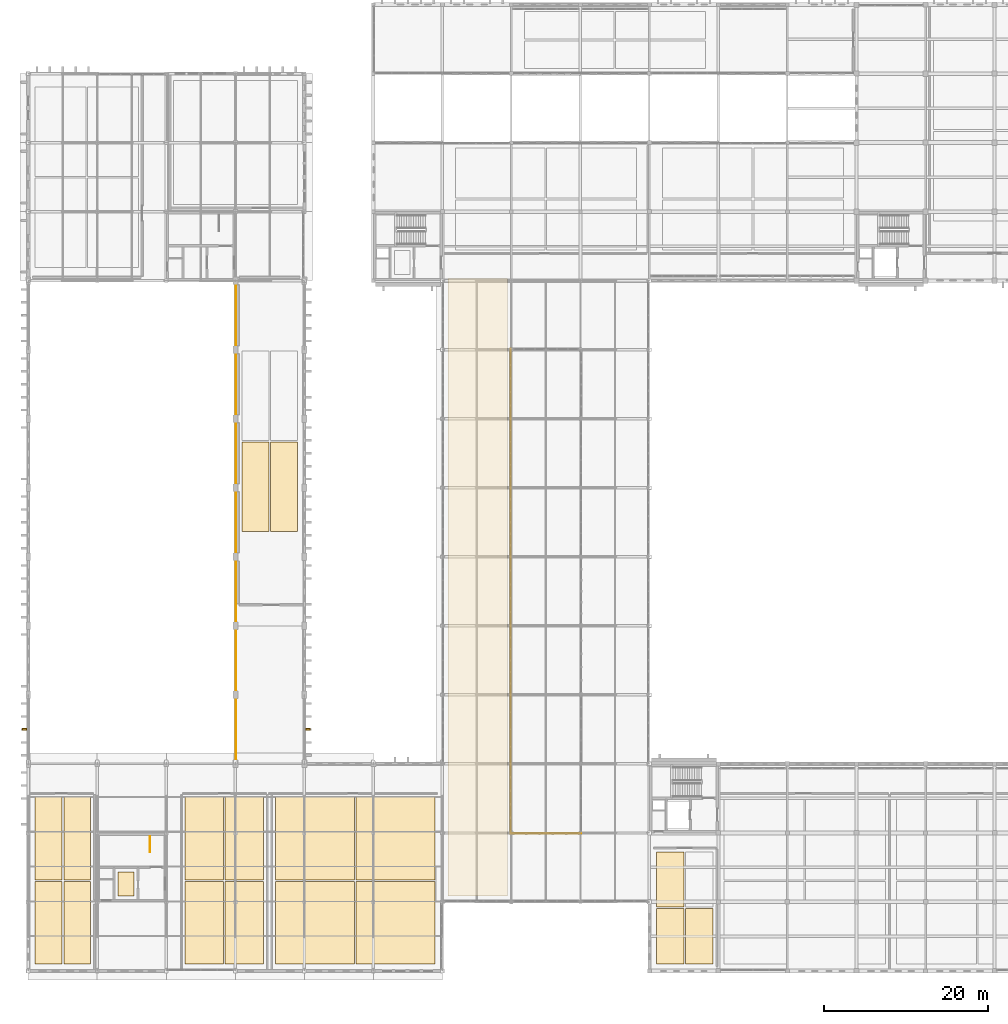
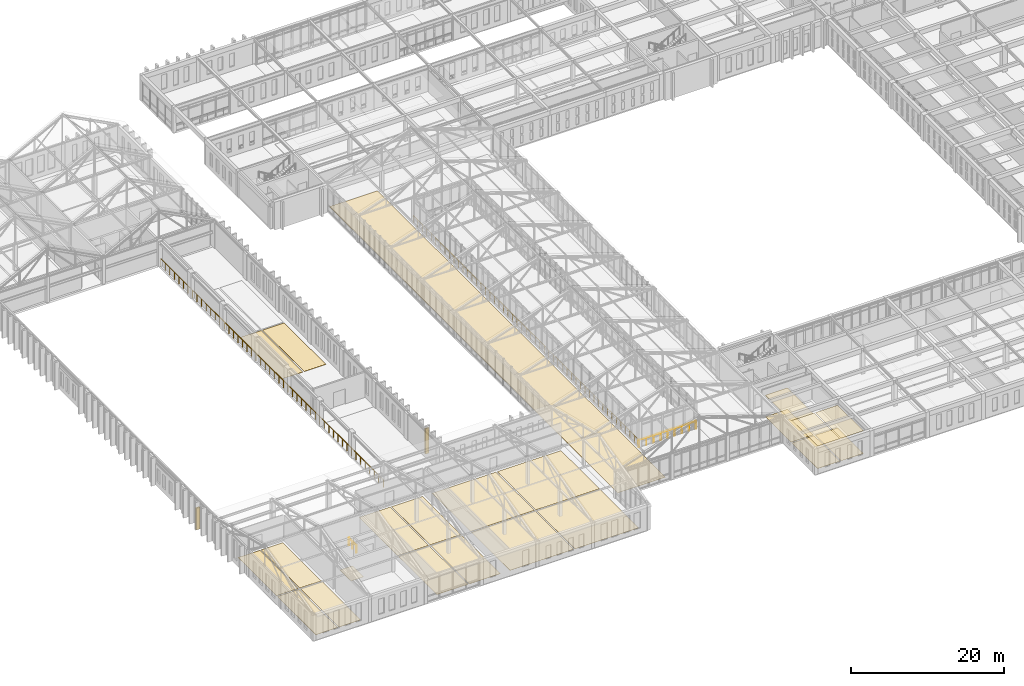
# One storey, part 182 of 192: 22 coverings, 4 railings, 2 shading devices.
"""IFC4 building model written with IfcOpenShell, lengths in metres."""

from ifc_helpers import new_model, si_unit, direction, frame, origin, origin_2d, place, context, subcontext, project, spatial, rectangle, circle, extrude, material, layer, layer_set, type_object, element, save


model = new_model("IFC4")

# Units and contexts
model_context = context("Model", 3, precision=1e-05, world=origin(), true_north=direction((0.0, 1.0)))
body_context = subcontext(model_context, "Body", "Model", "MODEL_VIEW")
ifc_project = project(units=[si_unit("LENGTHUNIT", "METRE"), si_unit("AREAUNIT", "SQUARE_METRE"), si_unit("VOLUMEUNIT", "CUBIC_METRE"), si_unit("PLANEANGLEUNIT", "RADIAN"), si_unit("MASSUNIT", "GRAM", prefix="KILO")], contexts=[model_context])

# Site, building, storey
site_placement = place(None, origin())
site = spatial("IfcSite", under=ifc_project, at=site_placement, CompositionType="ELEMENT")
building_placement = place(site_placement, origin())
building = spatial("IfcBuilding", under=site, at=building_placement, Name="Kveldsbrygga Polytechnic", CompositionType="ELEMENT")
storey_placement = place(building_placement, frame((0.0, 0.0, 5.43994140625)))
storey = spatial("IfcBuildingStorey", under=building, at=storey_placement, Name="L01", CompositionType="ELEMENT", Elevation=5.43994140625)

# Coverings
ifc_material_1 = material(Name="Acoustic mineral baffle ceiling")
ifc_layer_1 = layer(ifc_material_1, 0.030029296875)
ifc_layer_set_1 = layer_set([ifc_layer_1], Name="Acoustic mineral baffle ceiling")
covering_type_1 = type_object("IfcCoveringType", Name="COV-CEIL-AC30", PredefinedType="CEILING", material=ifc_layer_set_1)
for number, where, z_axis, x_axis, name in (
    (1, (78.125, 4.21240234375, 3.58984375), (0.0, 0.0, 1.0), (1.0, 0.0, 0.0), "Acoustic Ceiling SP-L01-UNION1W-WS"),
    (2, (78.125, 11.137451171875, 3.41015625), (0.0, 0.0, 1.0), (1.0, 0.0, 0.0), "Acoustic Ceiling SP-L01-UNION1W-WN"),
    (3, (81.675048828125, 4.21240234375, 3.58984375), (0.0, 0.0, 1.0), (1.0, 0.0, 0.0), "Acoustic Ceiling SP-L01-UNION1W-ES"),
):
    element("IfcCovering", number, at=place(storey_placement, frame(where, z_axis=z_axis, x_axis=x_axis)), inside=storey, type_object=covering_type_1, Name=name, PredefinedType="CEILING", context=body_context, shape_type="SweptSolid", body=[
        extrude(rectangle(XDim=3.35009765625, YDim=6.72509765625, at=origin_2d()), origin(), (0.0, 0.0, 1.0), 0.030029296875),
    ])
ifc_material_2 = material(Name="Heavy-duty quartz-filled epoxy resin flooring")
ifc_layer_2 = layer(ifc_material_2, 0.014892578125)
ifc_layer_set_2 = layer_set([ifc_layer_2], Name="Heavy-duty quartz-filled epoxy resin flooring")
covering_type_2 = type_object("IfcCoveringType", Name="COV-FLR-EPX15", PredefinedType="FLOORING", material=ifc_layer_set_2)
covering_1_placement = place(storey_placement, frame((11.89990234375, 10.60009765625, 0.0), z_axis=(0.0, 0.0, 1.0), x_axis=(1.0, 0.0, 0.0)))
element("IfcCovering", 4, at=covering_1_placement, inside=storey, type_object=covering_type_2, Name="Room Flooring SP-C9-L01-STORE", PredefinedType="FLOORING", context=body_context, shape_type="SweptSolid", body=[
    extrude(rectangle(XDim=1.89990234375, YDim=2.89990234375, at=origin_2d()), origin(), (0.0, 0.0, 1.0), 0.014892578125),
])
for number, where, z_axis, x_axis, name in (
    (5, (27.637451171875, 58.925048828125, 0.0), (0.0, 0.0, 1.0), (1.0, 0.0, 0.0), "Room Flooring SP-L01-WKGAL-WS"),
    (6, (31.112548828125, 58.925048828125, 0.0), (0.0, 0.0, 1.0), (1.0, 0.0, 0.0), "Room Flooring SP-L01-WKGAL-ES"),
):
    element("IfcCovering", number, at=place(storey_placement, frame(where, z_axis=z_axis, x_axis=x_axis)), inside=storey, type_object=covering_type_2, Name=name, PredefinedType="FLOORING", context=body_context, shape_type="SweptSolid", body=[
        extrude(rectangle(XDim=3.27490234375, YDim=10.89990234375, at=origin_2d()), origin(), (0.0, 0.0, 1.0), 0.014892578125),
    ])
ifc_material_3 = material(Name="Iddefjord granite honed paving", Category="masonry")
ifc_layer_3 = layer(ifc_material_3, 0.02490234375)
ifc_layer_set_3 = layer_set([ifc_layer_3], Name="Iddefjord granite honed paving")
covering_type_3 = type_object("IfcCoveringType", Name="COV-FLR-GRN25", PredefinedType="FLOORING", material=ifc_layer_set_3)
covering_2_placement = place(storey_placement, frame((54.699951171875, 46.699951171875, -0.00048828125), z_axis=(0.0, 0.0, 1.0), x_axis=(1.0, 0.0, 0.0)))
element("IfcCovering", 7, at=covering_2_placement, inside=storey, type_object=covering_type_3, Name="Concourse Granite Flooring SP-L01-CONCW", PredefinedType="FLOORING", context=body_context, shape_type="SweptSolid", body=[
    extrude(rectangle(XDim=7.199951171875, YDim=75.199951171875, at=origin_2d()), origin(), (0.0, 0.0, 1.0), 0.02490234375),
])
ifc_material_4 = material(Name="Acoustic oak timber flooring", Category="wood")
ifc_layer_4 = layer(ifc_material_4, 0.02197265625)
ifc_layer_set_4 = layer_set([ifc_layer_4], Name="Acoustic oak timber flooring")
covering_type_4 = type_object("IfcCoveringType", Name="COV-FLR-OAK22", PredefinedType="FLOORING", material=ifc_layer_set_4)
for number, where, z_axis, x_axis, name in (
    (8, (2.487548828125, 5.875, 0.0), (0.0, 0.0, 1.0), (1.0, 0.0, 0.0), "Room Flooring SP-L01-SWSTD1W-WS"),
    (9, (2.487548828125, 16.125, 0.0), (0.0, 0.0, 1.0), (1.0, 0.0, 0.0), "Room Flooring SP-L01-SWSTD1W-WN"),
    (10, (5.96240234375, 5.875, 0.0), (0.0, 0.0, 1.0), (1.0, 0.0, 0.0), "Room Flooring SP-L01-SWSTD1W-ES"),
    (11, (5.96240234375, 16.125, 0.0), (0.0, 0.0, 1.0), (1.0, 0.0, 0.0), "Room Flooring SP-L01-SWSTD1W-EN"),
):
    element("IfcCovering", number, at=place(storey_placement, frame(where, z_axis=z_axis, x_axis=x_axis)), inside=storey, type_object=covering_type_4, Name=name, PredefinedType="FLOORING", context=body_context, shape_type="SweptSolid", body=[
        extrude(rectangle(XDim=3.27490234375, YDim=10.050048828125, at=origin_2d()), origin(), (0.0, 0.0, 1.0), 0.02197265625),
    ])
for number, where, z_axis, x_axis, name in (
    (12, (21.4375, 5.875, 0.0), (0.0, 0.0, 1.0), (1.0, 0.0, 0.0), "Room Flooring SP-L01-SWSTD1-WS"),
    (13, (21.4375, 16.125, 0.0), (0.0, 0.0, 1.0), (1.0, 0.0, 0.0), "Room Flooring SP-L01-SWSTD1-WN"),
    (14, (26.3125, 5.875, 0.0), (0.0, 0.0, 1.0), (1.0, 0.0, 0.0), "Room Flooring SP-L01-SWSTD1-ES"),
    (15, (26.3125, 16.125, 0.0), (0.0, 0.0, 1.0), (1.0, 0.0, 0.0), "Room Flooring SP-L01-SWSTD1-EN"),
):
    element("IfcCovering", number, at=place(storey_placement, frame(where, z_axis=z_axis, x_axis=x_axis)), inside=storey, type_object=covering_type_4, Name=name, PredefinedType="FLOORING", context=body_context, shape_type="SweptSolid", body=[
        extrude(rectangle(XDim=4.675048828125, YDim=10.050048828125, at=origin_2d()), origin(), (0.0, 0.0, 1.0), 0.02197265625),
    ])
for number, where, z_axis, x_axis, name in (
    (16, (34.89990234375, 5.875, 0.0), (0.0, 0.0, 1.0), (1.0, 0.0, 0.0), "Room Flooring SP-L01-SWSEM1-WS"),
    (17, (34.89990234375, 16.125, 0.0), (0.0, 0.0, 1.0), (1.0, 0.0, 0.0), "Room Flooring SP-L01-SWSEM1-WN"),
    (18, (44.699951171875, 5.875, 0.0), (0.0, 0.0, 1.0), (1.0, 0.0, 0.0), "Room Flooring SP-L01-SWSEM1-ES"),
    (19, (44.699951171875, 16.125, 0.0), (0.0, 0.0, 1.0), (1.0, 0.0, 0.0), "Room Flooring SP-L01-SWSEM1-EN"),
):
    element("IfcCovering", number, at=place(storey_placement, frame(where, z_axis=z_axis, x_axis=x_axis)), inside=storey, type_object=covering_type_4, Name=name, PredefinedType="FLOORING", context=body_context, shape_type="SweptSolid", body=[
        extrude(rectangle(XDim=9.60009765625, YDim=10.050048828125, at=origin_2d()), origin(), (0.0, 0.0, 1.0), 0.02197265625),
    ])
for number, where, z_axis, x_axis, name in (
    (20, (78.125, 4.21240234375, 0.0), (0.0, 0.0, 1.0), (1.0, 0.0, 0.0), "Room Flooring SP-L01-UNION1W-WS"),
    (21, (78.125, 11.137451171875, 0.0), (0.0, 0.0, 1.0), (1.0, 0.0, 0.0), "Room Flooring SP-L01-UNION1W-WN"),
    (22, (81.675048828125, 4.21240234375, 0.0), (0.0, 0.0, 1.0), (1.0, 0.0, 0.0), "Room Flooring SP-L01-UNION1W-ES"),
):
    element("IfcCovering", number, at=place(storey_placement, frame(where, z_axis=z_axis, x_axis=x_axis)), inside=storey, type_object=covering_type_4, Name=name, PredefinedType="FLOORING", context=body_context, shape_type="SweptSolid", body=[
        extrude(rectangle(XDim=3.35009765625, YDim=6.72509765625, at=origin_2d()), origin(), (0.0, 0.0, 1.0), 0.02197265625),
    ])

# Shading devices
ifc_material_5 = material(Name="Fired clay brick masonry M10", Category="masonry")
shading_device_type = type_object("IfcShadingDeviceType", Name="FIN-BRICK-550", PredefinedType="JALOUSIE", material=ifc_material_5)
shading_device_1_placement = place(storey_placement, frame((-0.4609375, 29.39990234375, 0.0), z_axis=(0.0, 0.0, 1.0), x_axis=(0.0, 1.0, 0.0)))
element("IfcShadingDevice", 23, at=shading_device_1_placement, inside=storey, type_object=shading_device_type, Name="Brick Shading Fin L01-Y-00-03", PredefinedType="JALOUSIE", context=body_context, shape_type="SweptSolid", body=[
    extrude(rectangle(XDim=0.219970703125, YDim=0.550048828125, at=origin_2d()), origin(), (0.0, 0.0, 1.0), 3.4599609375),
])
shading_device_2_placement = place(storey_placement, frame((34.06103515625, 29.39990234375, 0.0), z_axis=(0.0, 0.0, 1.0), x_axis=(0.0, 1.0, 0.0)))
element("IfcShadingDevice", 24, at=shading_device_2_placement, inside=storey, type_object=shading_device_type, Name="Brick Shading Fin L01-Y-04-03", PredefinedType="JALOUSIE", context=body_context, shape_type="SweptSolid", body=[
    extrude(rectangle(XDim=0.219970703125, YDim=0.550048828125, at=origin_2d()), origin(), (0.0, 0.0, 1.0), 4.02001953125),
])

# Railings
ifc_material_6 = material(Name="Steel S355", Category="steel")
railing_type_1 = type_object("IfcRailingType", Name="RL-STAIR-GRD", PredefinedType="GUARDRAIL", material=ifc_material_6)
railing_1_placement = place(storey_placement, frame((14.800048828125, 16.39990234375, 0.0)))
element("IfcRailing", 25, at=railing_1_placement, inside=storey, type_object=railing_type_1, Name="L01 ST-9 top well guard 1", PredefinedType="GUARDRAIL", context=body_context, shape_type="SweptSolid", body=[
    extrude(circle(Radius=0.02392578125, at=origin_2d()), frame((0.0, 0.0, 1.1259765625), z_axis=(0.0, -1.0, 0.0), x_axis=(1.0, 0.0, 0.0)), (0.0, 0.0, 1.0), 1.949951171875),
    extrude(circle(Radius=0.02099609375, at=origin_2d()), origin(), (0.0, 0.0, 1.0), 1.097900390625),
    extrude(circle(Radius=0.02099609375, at=origin_2d()), frame((0.0, -0.97509765625, 0.0)), (0.0, 0.0, 1.0), 1.097900390625),
    extrude(circle(Radius=0.02099609375, at=origin_2d()), frame((0.0, -1.949951171875, 0.0)), (0.0, 0.0, 1.0), 1.097900390625),
])
railing_type_2 = type_object("IfcRailingType", Name="RL-VOID-GRD", PredefinedType="GUARDRAIL", material=ifc_material_6)
railing_2_placement = place(storey_placement, frame((25.280029296875, 25.550048828125, 0.0)))
element("IfcRailing", 26, at=railing_2_placement, inside=storey, type_object=railing_type_2, Name="Workshop Mezzanine Guard GRD-L01-V1MEZZ", PredefinedType="GUARDRAIL", context=body_context, shape_type="SweptSolid", body=[
    extrude(circle(Radius=0.02392578125, at=origin_2d()), frame((0.0, 0.0, 1.17578125), z_axis=(0.0, 1.0, 0.0), x_axis=(-1.0, 0.0, 0.0)), (0.0, 0.0, 1.0), 58.099853515625),
    extrude(circle(Radius=0.02099609375, at=origin_2d()), origin(), (0.0, 0.0, 1.0), 1.14794921875),
    extrude(circle(Radius=0.02099609375, at=origin_2d()), frame((0.0, 1.185791015625, 0.0)), (0.0, 0.0, 1.0), 1.14794921875),
    extrude(circle(Radius=0.02099609375, at=origin_2d()), frame((0.0, 2.371337890625, 0.0)), (0.0, 0.0, 1.0), 1.14794921875),
    extrude(circle(Radius=0.02099609375, at=origin_2d()), frame((0.0, 3.55712890625, 0.0)), (0.0, 0.0, 1.0), 1.14794921875),
    extrude(circle(Radius=0.02099609375, at=origin_2d()), frame((0.0, 4.742919921875, 0.0)), (0.0, 0.0, 1.0), 1.14794921875),
    extrude(circle(Radius=0.02099609375, at=origin_2d()), frame((0.0, 5.928466796875, 0.0)), (0.0, 0.0, 1.0), 1.14794921875),
    extrude(circle(Radius=0.02099609375, at=origin_2d()), frame((0.0, 7.1142578125, 0.0)), (0.0, 0.0, 1.0), 1.14794921875),
    extrude(circle(Radius=0.02099609375, at=origin_2d()), frame((0.0, 8.300048828125, 0.0)), (0.0, 0.0, 1.0), 1.14794921875),
    extrude(circle(Radius=0.02099609375, at=origin_2d()), frame((0.0, 9.485595703125, 0.0)), (0.0, 0.0, 1.0), 1.14794921875),
    extrude(circle(Radius=0.02099609375, at=origin_2d()), frame((0.0, 10.67138671875, 0.0)), (0.0, 0.0, 1.0), 1.14794921875),
    extrude(circle(Radius=0.02099609375, at=origin_2d()), frame((0.0, 11.857177734375, 0.0)), (0.0, 0.0, 1.0), 1.14794921875),
    extrude(circle(Radius=0.02099609375, at=origin_2d()), frame((0.0, 13.042724609375, 0.0)), (0.0, 0.0, 1.0), 1.14794921875),
    extrude(circle(Radius=0.02099609375, at=origin_2d()), frame((0.0, 14.228515625, 0.0)), (0.0, 0.0, 1.0), 1.14794921875),
    extrude(circle(Radius=0.02099609375, at=origin_2d()), frame((0.0, 15.414306640625, 0.0)), (0.0, 0.0, 1.0), 1.14794921875),
    extrude(circle(Radius=0.02099609375, at=origin_2d()), frame((0.0, 16.599853515625, 0.0)), (0.0, 0.0, 1.0), 1.14794921875),
    extrude(circle(Radius=0.02099609375, at=origin_2d()), frame((0.0, 17.78564453125, 0.0)), (0.0, 0.0, 1.0), 1.14794921875),
    extrude(circle(Radius=0.02099609375, at=origin_2d()), frame((0.0, 18.971435546875, 0.0)), (0.0, 0.0, 1.0), 1.14794921875),
    extrude(circle(Radius=0.02099609375, at=origin_2d()), frame((0.0, 20.156982421875, 0.0)), (0.0, 0.0, 1.0), 1.14794921875),
    extrude(circle(Radius=0.02099609375, at=origin_2d()), frame((0.0, 21.3427734375, 0.0)), (0.0, 0.0, 1.0), 1.14794921875),
    extrude(circle(Radius=0.02099609375, at=origin_2d()), frame((0.0, 22.528564453125, 0.0)), (0.0, 0.0, 1.0), 1.14794921875),
    extrude(circle(Radius=0.02099609375, at=origin_2d()), frame((0.0, 23.714111328125, 0.0)), (0.0, 0.0, 1.0), 1.14794921875),
    extrude(circle(Radius=0.02099609375, at=origin_2d()), frame((0.0, 24.89990234375, 0.0)), (0.0, 0.0, 1.0), 1.14794921875),
    extrude(circle(Radius=0.02099609375, at=origin_2d()), frame((0.0, 26.085693359375, 0.0)), (0.0, 0.0, 1.0), 1.14794921875),
    extrude(circle(Radius=0.02099609375, at=origin_2d()), frame((0.0, 27.271240234375, 0.0)), (0.0, 0.0, 1.0), 1.14794921875),
    extrude(circle(Radius=0.02099609375, at=origin_2d()), frame((0.0, 28.45703125, 0.0)), (0.0, 0.0, 1.0), 1.14794921875),
    extrude(circle(Radius=0.02099609375, at=origin_2d()), frame((0.0, 29.642822265625, 0.0)), (0.0, 0.0, 1.0), 1.14794921875),
    extrude(circle(Radius=0.02099609375, at=origin_2d()), frame((0.0, 30.82861328125, 0.0)), (0.0, 0.0, 1.0), 1.14794921875),
    extrude(circle(Radius=0.02099609375, at=origin_2d()), frame((0.0, 32.01416015625, 0.0)), (0.0, 0.0, 1.0), 1.14794921875),
    extrude(circle(Radius=0.02099609375, at=origin_2d()), frame((0.0, 33.199951171875, 0.0)), (0.0, 0.0, 1.0), 1.14794921875),
    extrude(circle(Radius=0.02099609375, at=origin_2d()), frame((0.0, 34.3857421875, 0.0)), (0.0, 0.0, 1.0), 1.14794921875),
    extrude(circle(Radius=0.02099609375, at=origin_2d()), frame((0.0, 35.5712890625, 0.0)), (0.0, 0.0, 1.0), 1.14794921875),
    extrude(circle(Radius=0.02099609375, at=origin_2d()), frame((0.0, 36.757080078125, 0.0)), (0.0, 0.0, 1.0), 1.14794921875),
    extrude(circle(Radius=0.02099609375, at=origin_2d()), frame((0.0, 37.94287109375, 0.0)), (0.0, 0.0, 1.0), 1.14794921875),
    extrude(circle(Radius=0.02099609375, at=origin_2d()), frame((0.0, 39.12841796875, 0.0)), (0.0, 0.0, 1.0), 1.14794921875),
    extrude(circle(Radius=0.02099609375, at=origin_2d()), frame((0.0, 40.314208984375, 0.0)), (0.0, 0.0, 1.0), 1.14794921875),
    extrude(circle(Radius=0.02099609375, at=origin_2d()), frame((0.0, 41.5, 0.0)), (0.0, 0.0, 1.0), 1.14794921875),
    extrude(circle(Radius=0.02099609375, at=origin_2d()), frame((0.0, 42.685546875, 0.0)), (0.0, 0.0, 1.0), 1.14794921875),
    extrude(circle(Radius=0.02099609375, at=origin_2d()), frame((0.0, 43.871337890625, 0.0)), (0.0, 0.0, 1.0), 1.14794921875),
    extrude(circle(Radius=0.02099609375, at=origin_2d()), frame((0.0, 45.05712890625, 0.0)), (0.0, 0.0, 1.0), 1.14794921875),
    extrude(circle(Radius=0.02099609375, at=origin_2d()), frame((0.0, 46.24267578125, 0.0)), (0.0, 0.0, 1.0), 1.14794921875),
    extrude(circle(Radius=0.02099609375, at=origin_2d()), frame((0.0, 47.428466796875, 0.0)), (0.0, 0.0, 1.0), 1.14794921875),
    extrude(circle(Radius=0.02099609375, at=origin_2d()), frame((0.0, 48.6142578125, 0.0)), (0.0, 0.0, 1.0), 1.14794921875),
    extrude(circle(Radius=0.02099609375, at=origin_2d()), frame((0.0, 49.7998046875, 0.0)), (0.0, 0.0, 1.0), 1.14794921875),
    extrude(circle(Radius=0.02099609375, at=origin_2d()), frame((0.0, 50.985595703125, 0.0)), (0.0, 0.0, 1.0), 1.14794921875),
    extrude(circle(Radius=0.02099609375, at=origin_2d()), frame((0.0, 52.17138671875, 0.0)), (0.0, 0.0, 1.0), 1.14794921875),
    extrude(circle(Radius=0.02099609375, at=origin_2d()), frame((0.0, 53.35693359375, 0.0)), (0.0, 0.0, 1.0), 1.14794921875),
    extrude(circle(Radius=0.02099609375, at=origin_2d()), frame((0.0, 54.542724609375, 0.0)), (0.0, 0.0, 1.0), 1.14794921875),
    extrude(circle(Radius=0.02099609375, at=origin_2d()), frame((0.0, 55.728515625, 0.0)), (0.0, 0.0, 1.0), 1.14794921875),
    extrude(circle(Radius=0.02099609375, at=origin_2d()), frame((0.0, 56.9140625, 0.0)), (0.0, 0.0, 1.0), 1.14794921875),
    extrude(circle(Radius=0.02099609375, at=origin_2d()), frame((0.0, 58.099853515625, 0.0)), (0.0, 0.0, 1.0), 1.14794921875),
])
railing_3_placement = place(storey_placement, frame((58.719970703125, 16.719970703125, 0.0)))
element("IfcRailing", 27, at=railing_3_placement, inside=storey, type_object=railing_type_2, Name="Winter Garden Atrium Guard GRD-L01-ATRIUM-S", PredefinedType="GUARDRAIL", context=body_context, shape_type="SweptSolid", body=[
    extrude(circle(Radius=0.02392578125, at=origin_2d()), frame((0.0, 0.0, 1.17578125), z_axis=(1.0, 0.0, 0.0), x_axis=(0.0, 1.0, 0.0)), (0.0, 0.0, 1.0), 8.56005859375),
    extrude(circle(Radius=0.02099609375, at=origin_2d()), origin(), (0.0, 0.0, 1.0), 1.14794921875),
    extrude(circle(Radius=0.02099609375, at=origin_2d()), frame((1.070068359375, 0.0, 0.0)), (0.0, 0.0, 1.0), 1.14794921875),
    extrude(circle(Radius=0.02099609375, at=origin_2d()), frame((2.14013671875, 0.0, 0.0)), (0.0, 0.0, 1.0), 1.14794921875),
    extrude(circle(Radius=0.02099609375, at=origin_2d()), frame((3.2099609375, 0.0, 0.0)), (0.0, 0.0, 1.0), 1.14794921875),
    extrude(circle(Radius=0.02099609375, at=origin_2d()), frame((4.280029296875, 0.0, 0.0)), (0.0, 0.0, 1.0), 1.14794921875),
    extrude(circle(Radius=0.02099609375, at=origin_2d()), frame((5.35009765625, 0.0, 0.0)), (0.0, 0.0, 1.0), 1.14794921875),
    extrude(circle(Radius=0.02099609375, at=origin_2d()), frame((6.419921875, 0.0, 0.0)), (0.0, 0.0, 1.0), 1.14794921875),
    extrude(circle(Radius=0.02099609375, at=origin_2d()), frame((7.489990234375, 0.0, 0.0)), (0.0, 0.0, 1.0), 1.14794921875),
    extrude(circle(Radius=0.02099609375, at=origin_2d()), frame((8.56005859375, 0.0, 0.0)), (0.0, 0.0, 1.0), 1.14794921875),
])
railing_4_placement = place(storey_placement, frame((58.719970703125, 75.679931640625, 0.0)))
element("IfcRailing", 28, at=railing_4_placement, inside=storey, type_object=railing_type_2, Name="Winter Garden Atrium Guard GRD-L01-ATRIUM-W", PredefinedType="GUARDRAIL", context=body_context, shape_type="SweptSolid", body=[
    extrude(circle(Radius=0.02392578125, at=origin_2d()), frame((0.0, 0.0, 1.17578125), z_axis=(0.0, -1.0, 0.0), x_axis=(1.0, 0.0, 0.0)), (0.0, 0.0, 1.0), 58.9599609375),
    extrude(circle(Radius=0.02099609375, at=origin_2d()), origin(), (0.0, 0.0, 1.0), 1.14794921875),
    extrude(circle(Radius=0.02099609375, at=origin_2d()), frame((0.0, -1.17919921875, 0.0)), (0.0, 0.0, 1.0), 1.14794921875),
    extrude(circle(Radius=0.02099609375, at=origin_2d()), frame((0.0, -2.3583984375, 0.0)), (0.0, 0.0, 1.0), 1.14794921875),
    extrude(circle(Radius=0.02099609375, at=origin_2d()), frame((0.0, -3.53759765625, 0.0)), (0.0, 0.0, 1.0), 1.14794921875),
    extrude(circle(Radius=0.02099609375, at=origin_2d()), frame((0.0, -4.716796875, 0.0)), (0.0, 0.0, 1.0), 1.14794921875),
    extrude(circle(Radius=0.02099609375, at=origin_2d()), frame((0.0, -5.89599609375, 0.0)), (0.0, 0.0, 1.0), 1.14794921875),
    extrude(circle(Radius=0.02099609375, at=origin_2d()), frame((0.0, -7.0751953125, 0.0)), (0.0, 0.0, 1.0), 1.14794921875),
    extrude(circle(Radius=0.02099609375, at=origin_2d()), frame((0.0, -8.25439453125, 0.0)), (0.0, 0.0, 1.0), 1.14794921875),
    extrude(circle(Radius=0.02099609375, at=origin_2d()), frame((0.0, -9.43359375, 0.0)), (0.0, 0.0, 1.0), 1.14794921875),
    extrude(circle(Radius=0.02099609375, at=origin_2d()), frame((0.0, -10.61279296875, 0.0)), (0.0, 0.0, 1.0), 1.14794921875),
    extrude(circle(Radius=0.02099609375, at=origin_2d()), frame((0.0, -11.7919921875, 0.0)), (0.0, 0.0, 1.0), 1.14794921875),
    extrude(circle(Radius=0.02099609375, at=origin_2d()), frame((0.0, -12.97119140625, 0.0)), (0.0, 0.0, 1.0), 1.14794921875),
    extrude(circle(Radius=0.02099609375, at=origin_2d()), frame((0.0, -14.150390625, 0.0)), (0.0, 0.0, 1.0), 1.14794921875),
    extrude(circle(Radius=0.02099609375, at=origin_2d()), frame((0.0, -15.32958984375, 0.0)), (0.0, 0.0, 1.0), 1.14794921875),
    extrude(circle(Radius=0.02099609375, at=origin_2d()), frame((0.0, -16.5087890625, 0.0)), (0.0, 0.0, 1.0), 1.14794921875),
    extrude(circle(Radius=0.02099609375, at=origin_2d()), frame((0.0, -17.68798828125, 0.0)), (0.0, 0.0, 1.0), 1.14794921875),
    extrude(circle(Radius=0.02099609375, at=origin_2d()), frame((0.0, -18.8671875, 0.0)), (0.0, 0.0, 1.0), 1.14794921875),
    extrude(circle(Radius=0.02099609375, at=origin_2d()), frame((0.0, -20.04638671875, 0.0)), (0.0, 0.0, 1.0), 1.14794921875),
    extrude(circle(Radius=0.02099609375, at=origin_2d()), frame((0.0, -21.2255859375, 0.0)), (0.0, 0.0, 1.0), 1.14794921875),
    extrude(circle(Radius=0.02099609375, at=origin_2d()), frame((0.0, -22.40478515625, 0.0)), (0.0, 0.0, 1.0), 1.14794921875),
    extrude(circle(Radius=0.02099609375, at=origin_2d()), frame((0.0, -23.583984375, 0.0)), (0.0, 0.0, 1.0), 1.14794921875),
    extrude(circle(Radius=0.02099609375, at=origin_2d()), frame((0.0, -24.76318359375, 0.0)), (0.0, 0.0, 1.0), 1.14794921875),
    extrude(circle(Radius=0.02099609375, at=origin_2d()), frame((0.0, -25.9423828125, 0.0)), (0.0, 0.0, 1.0), 1.14794921875),
    extrude(circle(Radius=0.02099609375, at=origin_2d()), frame((0.0, -27.12158203125, 0.0)), (0.0, 0.0, 1.0), 1.14794921875),
    extrude(circle(Radius=0.02099609375, at=origin_2d()), frame((0.0, -28.30078125, 0.0)), (0.0, 0.0, 1.0), 1.14794921875),
    extrude(circle(Radius=0.02099609375, at=origin_2d()), frame((0.0, -29.47998046875, 0.0)), (0.0, 0.0, 1.0), 1.14794921875),
    extrude(circle(Radius=0.02099609375, at=origin_2d()), frame((0.0, -30.6591796875, 0.0)), (0.0, 0.0, 1.0), 1.14794921875),
    extrude(circle(Radius=0.02099609375, at=origin_2d()), frame((0.0, -31.83837890625, 0.0)), (0.0, 0.0, 1.0), 1.14794921875),
    extrude(circle(Radius=0.02099609375, at=origin_2d()), frame((0.0, -33.017578125, 0.0)), (0.0, 0.0, 1.0), 1.14794921875),
    extrude(circle(Radius=0.02099609375, at=origin_2d()), frame((0.0, -34.19677734375, 0.0)), (0.0, 0.0, 1.0), 1.14794921875),
    extrude(circle(Radius=0.02099609375, at=origin_2d()), frame((0.0, -35.3759765625, 0.0)), (0.0, 0.0, 1.0), 1.14794921875),
    extrude(circle(Radius=0.02099609375, at=origin_2d()), frame((0.0, -36.55517578125, 0.0)), (0.0, 0.0, 1.0), 1.14794921875),
    extrude(circle(Radius=0.02099609375, at=origin_2d()), frame((0.0, -37.734375, 0.0)), (0.0, 0.0, 1.0), 1.14794921875),
    extrude(circle(Radius=0.02099609375, at=origin_2d()), frame((0.0, -38.91357421875, 0.0)), (0.0, 0.0, 1.0), 1.14794921875),
    extrude(circle(Radius=0.02099609375, at=origin_2d()), frame((0.0, -40.0927734375, 0.0)), (0.0, 0.0, 1.0), 1.14794921875),
    extrude(circle(Radius=0.02099609375, at=origin_2d()), frame((0.0, -41.27197265625, 0.0)), (0.0, 0.0, 1.0), 1.14794921875),
    extrude(circle(Radius=0.02099609375, at=origin_2d()), frame((0.0, -42.451171875, 0.0)), (0.0, 0.0, 1.0), 1.14794921875),
    extrude(circle(Radius=0.02099609375, at=origin_2d()), frame((0.0, -43.63037109375, 0.0)), (0.0, 0.0, 1.0), 1.14794921875),
    extrude(circle(Radius=0.02099609375, at=origin_2d()), frame((0.0, -44.8095703125, 0.0)), (0.0, 0.0, 1.0), 1.14794921875),
    extrude(circle(Radius=0.02099609375, at=origin_2d()), frame((0.0, -45.98876953125, 0.0)), (0.0, 0.0, 1.0), 1.14794921875),
    extrude(circle(Radius=0.02099609375, at=origin_2d()), frame((0.0, -47.16796875, 0.0)), (0.0, 0.0, 1.0), 1.14794921875),
    extrude(circle(Radius=0.02099609375, at=origin_2d()), frame((0.0, -48.34716796875, 0.0)), (0.0, 0.0, 1.0), 1.14794921875),
    extrude(circle(Radius=0.02099609375, at=origin_2d()), frame((0.0, -49.5263671875, 0.0)), (0.0, 0.0, 1.0), 1.14794921875),
    extrude(circle(Radius=0.02099609375, at=origin_2d()), frame((0.0, -50.70556640625, 0.0)), (0.0, 0.0, 1.0), 1.14794921875),
    extrude(circle(Radius=0.02099609375, at=origin_2d()), frame((0.0, -51.884765625, 0.0)), (0.0, 0.0, 1.0), 1.14794921875),
    extrude(circle(Radius=0.02099609375, at=origin_2d()), frame((0.0, -53.06396484375, 0.0)), (0.0, 0.0, 1.0), 1.14794921875),
    extrude(circle(Radius=0.02099609375, at=origin_2d()), frame((0.0, -54.2431640625, 0.0)), (0.0, 0.0, 1.0), 1.14794921875),
    extrude(circle(Radius=0.02099609375, at=origin_2d()), frame((0.0, -55.42236328125, 0.0)), (0.0, 0.0, 1.0), 1.14794921875),
    extrude(circle(Radius=0.02099609375, at=origin_2d()), frame((0.0, -56.6015625, 0.0)), (0.0, 0.0, 1.0), 1.14794921875),
    extrude(circle(Radius=0.02099609375, at=origin_2d()), frame((0.0, -57.78076171875, 0.0)), (0.0, 0.0, 1.0), 1.14794921875),
    extrude(circle(Radius=0.02099609375, at=origin_2d()), frame((0.0, -58.9599609375, 0.0)), (0.0, 0.0, 1.0), 1.14794921875),
])

save(model, "model.ifc")
